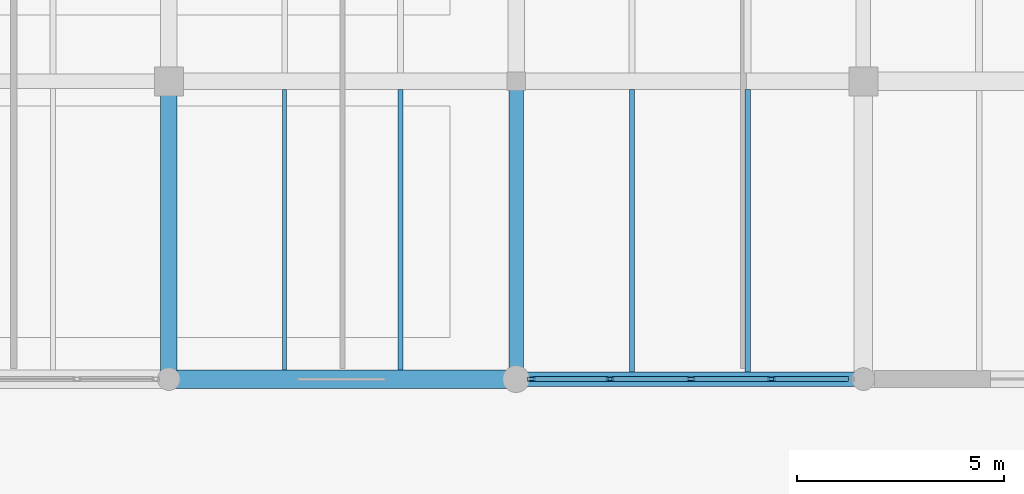
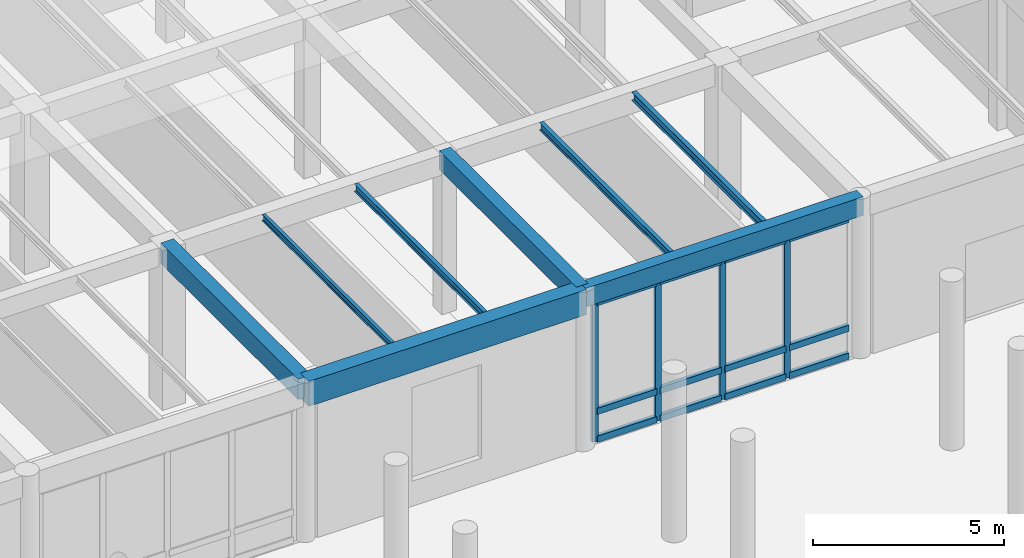
# One storey, part 41 of 169: 16 members, 8 beams, 1 element without a shape of its own.
"""IFC4 building model written with IfcOpenShell, lengths in metres."""

from ifc_helpers import new_model, si_unit, direction, frame, origin, origin_2d, place, context, subcontext, project, spatial, rectangle, hollow_rectangle, i_section, extrude, material, layer, layer_set, material_profile, profile_set, type_object, element, aggregate, save


model = new_model("IFC4")

# Units and contexts
model_context = context("Model", 3, precision=1e-05, world=origin(), true_north=direction((0.0, 1.0)))
body_context = subcontext(model_context, "Body", "Model", "MODEL_VIEW")
ifc_project = project(units=[si_unit("LENGTHUNIT", "METRE"), si_unit("AREAUNIT", "SQUARE_METRE"), si_unit("VOLUMEUNIT", "CUBIC_METRE"), si_unit("PLANEANGLEUNIT", "RADIAN"), si_unit("MASSUNIT", "GRAM", prefix="KILO")], contexts=[model_context])

# Site, building, storey
site_placement = place(None, origin())
site = spatial("IfcSite", under=ifc_project, at=site_placement, CompositionType="ELEMENT")
building_placement = place(site_placement, origin())
building = spatial("IfcBuilding", under=site, at=building_placement, Name="Mazaris Harbour Polytechnic", CompositionType="ELEMENT")
storey_placement = place(building_placement, origin())
storey = spatial("IfcBuildingStorey", under=building, at=storey_placement, Name="L00", CompositionType="ELEMENT", Elevation=0.0)

# Curtain wall, members
ifc_material_1 = material(Name="Anodised Bronze Aluminium and Low-E Glass", Category="aluminium")
ifc_layer = layer(ifc_material_1, 0.179931640625, Name="Anodised Bronze Aluminium and Low-E Glass")
ifc_layer_set = layer_set([ifc_layer], Name="Anodised Bronze Aluminium and Low-E Glass")
curtain_wall_type = type_object("IfcCurtainWallType", Name="Harbour Colonnade Curtain Wall", PredefinedType="NOTDEFINED", material=ifc_layer_set)
curtain_wall_placement = place(storey_placement, origin())
curtain_wall = element("IfcCurtainWall", 1, at=curtain_wall_placement, inside=storey, type_object=curtain_wall_type, Name="V3 L00 Curtain Wall 62", PredefinedType="NOTDEFINED")
ifc_material_2 = material(Name="Anodised Bronze Steel S355", Category="steel")
ifc_material_profile_1 = material_profile(ifc_material_2, hollow_rectangle(XDim=0.10009765625, YDim=0.179931640625, WallThickness=0.008056640625, at=origin_2d()), Name="RHS 100x180x8.0")
ifc_profile_set_1 = profile_set([ifc_material_profile_1], Name="Anodised Bronze Steel S355")
member_type_1 = type_object("IfcMemberType", Name="Curtain Mullion RHS100x180", PredefinedType="MULLION", material=ifc_profile_set_1)
member_1_placement = place(storey_placement, frame((93.779052734375, 7.199951171875, 0.0), z_axis=(0.0, 0.0, 1.0), x_axis=(0.0, -1.0, 0.0)))
member_1 = element("IfcMember", 2, at=member_1_placement, type_object=member_type_1, Name="CW-01 mullion 2", PredefinedType="MULLION", context=body_context, shape_type="SweptSolid", body=[
    extrude(hollow_rectangle(XDim=0.10009765625, YDim=0.179931640625, WallThickness=0.008056640625, at=origin_2d()), origin(), (0.0, 0.0, 1.0), 4.489990234375),
])
member_2_placement = place(storey_placement, frame((91.824951171875, 7.199951171875, 0.0), z_axis=(0.0, 0.0, 1.0), x_axis=(0.0, -1.0, 0.0)))
member_2 = element("IfcMember", 3, at=member_2_placement, type_object=member_type_1, Name="CW-01 mullion 3", PredefinedType="MULLION", context=body_context, shape_type="SweptSolid", body=[
    extrude(hollow_rectangle(XDim=0.10009765625, YDim=0.179931640625, WallThickness=0.008056640625, at=origin_2d()), origin(), (0.0, 0.0, 1.0), 4.489990234375),
])
member_3_placement = place(storey_placement, frame((89.87109375, 7.199951171875, 0.0), z_axis=(0.0, 0.0, 1.0), x_axis=(0.0, -1.0, 0.0)))
member_3 = element("IfcMember", 4, at=member_3_placement, type_object=member_type_1, Name="CW-01 mullion 4", PredefinedType="MULLION", context=body_context, shape_type="SweptSolid", body=[
    extrude(hollow_rectangle(XDim=0.10009765625, YDim=0.179931640625, WallThickness=0.008056640625, at=origin_2d()), origin(), (0.0, 0.0, 1.0), 4.489990234375),
])
member_4_placement = place(storey_placement, frame((87.967041015625, 7.199951171875, 0.0), z_axis=(0.0, 0.0, 1.0), x_axis=(0.0, -1.0, 0.0)))
member_4 = element("IfcMember", 5, at=member_4_placement, type_object=member_type_1, Name="CW-01 mullion 5", PredefinedType="MULLION", context=body_context, shape_type="SweptSolid", body=[
    extrude(hollow_rectangle(XDim=0.10009765625, YDim=0.179931640625, WallThickness=0.008056640625, at=origin_2d()), origin(), (0.0, 0.0, 1.0), 4.489990234375),
])
ifc_material_3 = material(Name="Anodised Bronze Steel S355", Category="steel")
ifc_material_profile_2 = material_profile(ifc_material_3, hollow_rectangle(XDim=0.1201171875, YDim=0.199951171875, WallThickness=0.008056640625, at=origin_2d()), Name="RHS 120x200x8.0")
ifc_profile_set_2 = profile_set([ifc_material_profile_2], Name="Anodised Bronze Steel S355")
member_type_2 = type_object("IfcMemberType", Name="Curtain Transom RHS120x200", PredefinedType="USERDEFINED", material=ifc_profile_set_2)
member_5_placement = place(storey_placement, frame((95.633056640625, 7.199951171875, 0.06005859375), z_axis=(-1.0, 0.0, 0.0), x_axis=(0.0, -1.0, 0.0)))
member_5 = element("IfcMember", 6, at=member_5_placement, type_object=member_type_2, Name="CW-01 transom 1.1", ObjectType="TRANSOM", PredefinedType="USERDEFINED", context=body_context, shape_type="SweptSolid", body=[
    extrude(hollow_rectangle(XDim=0.1201171875, YDim=0.199951171875, WallThickness=0.008056640625, at=origin_2d()), origin(), (0.0, 0.0, 1.0), 1.803955078125),
])
member_6_placement = place(storey_placement, frame((95.633056640625, 7.199951171875, 0.949951171875), z_axis=(-1.0, 0.0, 0.0), x_axis=(0.0, -1.0, 0.0)))
member_6 = element("IfcMember", 7, at=member_6_placement, type_object=member_type_2, Name="CW-01 transom 1.2", ObjectType="TRANSOM", PredefinedType="USERDEFINED", context=body_context, shape_type="SweptSolid", body=[
    extrude(hollow_rectangle(XDim=0.1201171875, YDim=0.199951171875, WallThickness=0.008056640625, at=origin_2d()), origin(), (0.0, 0.0, 1.0), 1.803955078125),
])
member_7_placement = place(storey_placement, frame((95.633056640625, 7.199951171875, 4.429931640625), z_axis=(-1.0, 0.0, 0.0), x_axis=(0.0, -1.0, 0.0)))
member_7 = element("IfcMember", 8, at=member_7_placement, type_object=member_type_2, Name="CW-01 transom 1.3", ObjectType="TRANSOM", PredefinedType="USERDEFINED", context=body_context, shape_type="SweptSolid", body=[
    extrude(hollow_rectangle(XDim=0.1201171875, YDim=0.199951171875, WallThickness=0.008056640625, at=origin_2d()), origin(), (0.0, 0.0, 1.0), 1.803955078125),
])
member_8_placement = place(storey_placement, frame((93.72900390625, 7.199951171875, 0.06005859375), z_axis=(-1.0, 0.0, 0.0), x_axis=(0.0, -1.0, 0.0)))
member_8 = element("IfcMember", 9, at=member_8_placement, type_object=member_type_2, Name="CW-01 transom 2.1", ObjectType="TRANSOM", PredefinedType="USERDEFINED", context=body_context, shape_type="SweptSolid", body=[
    extrude(hollow_rectangle(XDim=0.1201171875, YDim=0.199951171875, WallThickness=0.008056640625, at=origin_2d()), origin(), (0.0, 0.0, 1.0), 1.85400390625),
])
member_9_placement = place(storey_placement, frame((93.72900390625, 7.199951171875, 0.949951171875), z_axis=(-1.0, 0.0, 0.0), x_axis=(0.0, -1.0, 0.0)))
member_9 = element("IfcMember", 10, at=member_9_placement, type_object=member_type_2, Name="CW-01 transom 2.2", ObjectType="TRANSOM", PredefinedType="USERDEFINED", context=body_context, shape_type="SweptSolid", body=[
    extrude(hollow_rectangle(XDim=0.1201171875, YDim=0.199951171875, WallThickness=0.008056640625, at=origin_2d()), origin(), (0.0, 0.0, 1.0), 1.85400390625),
])
member_10_placement = place(storey_placement, frame((93.72900390625, 7.199951171875, 4.429931640625), z_axis=(-1.0, 0.0, 0.0), x_axis=(0.0, -1.0, 0.0)))
member_10 = element("IfcMember", 11, at=member_10_placement, type_object=member_type_2, Name="CW-01 transom 2.3", ObjectType="TRANSOM", PredefinedType="USERDEFINED", context=body_context, shape_type="SweptSolid", body=[
    extrude(hollow_rectangle(XDim=0.1201171875, YDim=0.199951171875, WallThickness=0.008056640625, at=origin_2d()), origin(), (0.0, 0.0, 1.0), 1.85400390625),
])
member_11_placement = place(storey_placement, frame((91.77490234375, 7.199951171875, 0.06005859375), z_axis=(-1.0, 0.0, 0.0), x_axis=(0.0, -1.0, 0.0)))
member_11 = element("IfcMember", 12, at=member_11_placement, type_object=member_type_2, Name="CW-01 transom 3.1", ObjectType="TRANSOM", PredefinedType="USERDEFINED", context=body_context, shape_type="SweptSolid", body=[
    extrude(hollow_rectangle(XDim=0.1201171875, YDim=0.199951171875, WallThickness=0.008056640625, at=origin_2d()), origin(), (0.0, 0.0, 1.0), 1.85400390625),
])
member_12_placement = place(storey_placement, frame((91.77490234375, 7.199951171875, 0.949951171875), z_axis=(-1.0, 0.0, 0.0), x_axis=(0.0, -1.0, 0.0)))
member_12 = element("IfcMember", 13, at=member_12_placement, type_object=member_type_2, Name="CW-01 transom 3.2", ObjectType="TRANSOM", PredefinedType="USERDEFINED", context=body_context, shape_type="SweptSolid", body=[
    extrude(hollow_rectangle(XDim=0.1201171875, YDim=0.199951171875, WallThickness=0.008056640625, at=origin_2d()), origin(), (0.0, 0.0, 1.0), 1.85400390625),
])
member_13_placement = place(storey_placement, frame((91.77490234375, 7.199951171875, 4.429931640625), z_axis=(-1.0, 0.0, 0.0), x_axis=(0.0, -1.0, 0.0)))
member_13 = element("IfcMember", 14, at=member_13_placement, type_object=member_type_2, Name="CW-01 transom 3.3", ObjectType="TRANSOM", PredefinedType="USERDEFINED", context=body_context, shape_type="SweptSolid", body=[
    extrude(hollow_rectangle(XDim=0.1201171875, YDim=0.199951171875, WallThickness=0.008056640625, at=origin_2d()), origin(), (0.0, 0.0, 1.0), 1.85400390625),
])
member_14_placement = place(storey_placement, frame((89.821044921875, 7.199951171875, 0.06005859375), z_axis=(-1.0, 0.0, 0.0), x_axis=(0.0, -1.0, 0.0)))
member_14 = element("IfcMember", 15, at=member_14_placement, type_object=member_type_2, Name="CW-01 transom 4.1", ObjectType="TRANSOM", PredefinedType="USERDEFINED", context=body_context, shape_type="SweptSolid", body=[
    extrude(hollow_rectangle(XDim=0.1201171875, YDim=0.199951171875, WallThickness=0.008056640625, at=origin_2d()), origin(), (0.0, 0.0, 1.0), 1.803955078125),
])
member_15_placement = place(storey_placement, frame((89.821044921875, 7.199951171875, 0.949951171875), z_axis=(-1.0, 0.0, 0.0), x_axis=(0.0, -1.0, 0.0)))
member_15 = element("IfcMember", 16, at=member_15_placement, type_object=member_type_2, Name="CW-01 transom 4.2", ObjectType="TRANSOM", PredefinedType="USERDEFINED", context=body_context, shape_type="SweptSolid", body=[
    extrude(hollow_rectangle(XDim=0.1201171875, YDim=0.199951171875, WallThickness=0.008056640625, at=origin_2d()), origin(), (0.0, 0.0, 1.0), 1.803955078125),
])
member_16_placement = place(storey_placement, frame((89.821044921875, 7.199951171875, 4.429931640625), z_axis=(-1.0, 0.0, 0.0), x_axis=(0.0, -1.0, 0.0)))
member_16 = element("IfcMember", 17, at=member_16_placement, type_object=member_type_2, Name="CW-01 transom 4.3", ObjectType="TRANSOM", PredefinedType="USERDEFINED", context=body_context, shape_type="SweptSolid", body=[
    extrude(hollow_rectangle(XDim=0.1201171875, YDim=0.199951171875, WallThickness=0.008056640625, at=origin_2d()), origin(), (0.0, 0.0, 1.0), 1.803955078125),
])
aggregate(curtain_wall, [member_1, member_2, member_3, member_4, member_5, member_6, member_7, member_8, member_9, member_10, member_11, member_12, member_13, member_14, member_15, member_16])

# Beams
ifc_material_4 = material(Name="Concrete C35/45", Category="concrete")
ifc_material_profile_3 = material_profile(ifc_material_4, rectangle(XDim=0.35009765625, YDim=0.60009765625, at=origin_2d()), Name="RECT350x600")
ifc_profile_set_3 = profile_set([ifc_material_profile_3], Name="Concrete C35/45")
beam_type_1 = type_object("IfcBeamType", Name="RC Girder 350x600", PredefinedType="BEAM", material=ifc_profile_set_3)
beam_1_placement = place(storey_placement, frame((87.60009765625, 7.199951171875, 4.800048828125), z_axis=(0.0, 1.0, 0.0), x_axis=(-1.0, 0.0, 0.0)))
element("IfcBeam", 18, at=beam_1_placement, inside=storey, type_object=beam_type_1, Name="V3 L00 Tie Girder 905", PredefinedType="BEAM", context=body_context, shape_type="SweptSolid", body=[
    extrude(rectangle(XDim=0.35009765625, YDim=0.60009765625, at=origin_2d()), origin(), (0.0, 0.0, 1.0), 7.199951171875),
])
ifc_material_5 = material(Name="Concrete C35/45", Category="concrete")
ifc_material_profile_4 = material_profile(ifc_material_5, rectangle(XDim=0.35009765625, YDim=0.60009765625, at=origin_2d()), Name="RECT350x600")
ifc_profile_set_4 = profile_set([ifc_material_profile_4], Name="Concrete C35/45")
beam_type_2 = type_object("IfcBeamType", Name="RC Girder 350x600 Exterior", PredefinedType="BEAM", material=ifc_profile_set_4)
beam_2_placement = place(storey_placement, frame((87.60009765625, 7.199951171875, 4.800048828125), z_axis=(1.0, 0.0, 0.0), x_axis=(0.0, 1.0, 0.0)))
element("IfcBeam", 19, at=beam_2_placement, inside=storey, type_object=beam_type_2, Name="V3 L00 Girder 860", PredefinedType="BEAM", context=body_context, shape_type="SweptSolid", body=[
    extrude(rectangle(XDim=0.35009765625, YDim=0.60009765625, at=origin_2d()), origin(), (0.0, 0.0, 1.0), 8.39990234375),
])
ifc_material_6 = material(Name="Concrete C35/45", Category="concrete")
ifc_material_profile_5 = material_profile(ifc_material_6, rectangle(XDim=0.39990234375, YDim=0.64990234375, at=origin_2d()), Name="RECT400x650")
ifc_profile_set_5 = profile_set([ifc_material_profile_5], Name="Concrete C35/45")
beam_type_3 = type_object("IfcBeamType", Name="RC Girder 400x650", PredefinedType="BEAM", material=ifc_profile_set_5)
beam_3_placement = place(storey_placement, frame((79.199951171875, 7.199951171875, 4.77490234375), z_axis=(0.0, 1.0, 0.0), x_axis=(-1.0, 0.0, 0.0)))
element("IfcBeam", 20, at=beam_3_placement, inside=storey, type_object=beam_type_3, Name="V3 L00 Tie Girder 901", PredefinedType="BEAM", context=body_context, shape_type="SweptSolid", body=[
    extrude(rectangle(XDim=0.39990234375, YDim=0.64990234375, at=origin_2d()), origin(), (0.0, 0.0, 1.0), 7.199951171875),
])
ifc_material_7 = material(Name="Concrete C40/50", Category="concrete")
ifc_material_profile_6 = material_profile(ifc_material_7, rectangle(XDim=0.449951171875, YDim=0.800048828125, at=origin_2d()), Name="RECT450x800")
ifc_profile_set_6 = profile_set([ifc_material_profile_6], Name="Concrete C40/50")
beam_type_4 = type_object("IfcBeamType", Name="RC Girder 450x800 Exterior", PredefinedType="BEAM", material=ifc_profile_set_6)
beam_4_placement = place(storey_placement, frame((79.199951171875, 7.199951171875, 4.699951171875), z_axis=(1.0, 0.0, 0.0), x_axis=(0.0, 1.0, 0.0)))
element("IfcBeam", 21, at=beam_4_placement, inside=storey, type_object=beam_type_4, Name="V3 L00 Girder 859", PredefinedType="BEAM", context=body_context, shape_type="SweptSolid", body=[
    extrude(rectangle(XDim=0.449951171875, YDim=0.800048828125, at=origin_2d()), origin(), (0.0, 0.0, 1.0), 8.400146484375),
])
ifc_material_8 = material(Name="Steel S355", Category="steel")
ifc_material_profile_7 = material_profile(ifc_material_8, i_section(OverallWidth=0.10009765625, OverallDepth=0.199951171875, WebThickness=0.005615234375, FlangeThickness=0.008544921875, FilletRadius=0.011962890625, at=origin_2d()), Name="IPE 200")
ifc_profile_set_7 = profile_set([ifc_material_profile_7], Name="Steel S355")
beam_type_5 = type_object("IfcBeamType", Name="Steel Joist IPE200", PredefinedType="JOIST", material=ifc_profile_set_7)
beam_5_placement = place(storey_placement, frame((82.0, 7.425048828125, 5.0), z_axis=(0.0, 1.0, 0.0), x_axis=(-1.0, 0.0, 0.0)))
element("IfcBeam", 22, at=beam_5_placement, inside=storey, type_object=beam_type_5, Name="V3 L00 Floor Joist 938", PredefinedType="JOIST", context=body_context, shape_type="SweptSolid", body=[
    extrude(i_section(OverallWidth=0.10009765625, OverallDepth=0.199951171875, WebThickness=0.005615234375, FlangeThickness=0.008544921875, FilletRadius=0.011962890625, at=origin_2d()), origin(), (0.0, 0.0, 1.0), 6.77490234375),
])
ifc_material_9 = material(Name="Steel S355", Category="steel")
ifc_material_profile_8 = material_profile(ifc_material_9, i_section(OverallWidth=0.1201171875, OverallDepth=0.239990234375, WebThickness=0.006103515625, FlangeThickness=0.009765625, FilletRadius=0.014892578125, at=origin_2d()), Name="IPE 240")
ifc_profile_set_8 = profile_set([ifc_material_profile_8], Name="Steel S355")
beam_type_6 = type_object("IfcBeamType", Name="Steel Joist IPE240", PredefinedType="JOIST", material=ifc_profile_set_8)
beam_6_placement = place(storey_placement, frame((84.800048828125, 7.425048828125, 4.97998046875), z_axis=(0.0, 1.0, 0.0), x_axis=(-1.0, 0.0, 0.0)))
element("IfcBeam", 23, at=beam_6_placement, inside=storey, type_object=beam_type_6, Name="V3 L00 Floor Joist 939", PredefinedType="JOIST", context=body_context, shape_type="SweptSolid", body=[
    extrude(i_section(OverallWidth=0.1201171875, OverallDepth=0.239990234375, WebThickness=0.006103515625, FlangeThickness=0.009765625, FilletRadius=0.014892578125, at=origin_2d()), origin(), (0.0, 0.0, 1.0), 6.77490234375),
])
beam_7_placement = place(storey_placement, frame((90.39990234375, 7.375, 4.97998046875), z_axis=(0.0, 1.0, 0.0), x_axis=(-1.0, 0.0, 0.0)))
element("IfcBeam", 24, at=beam_7_placement, inside=storey, type_object=beam_type_6, Name="V3 L00 Floor Joist 946", PredefinedType="JOIST", context=body_context, shape_type="SweptSolid", body=[
    extrude(i_section(OverallWidth=0.1201171875, OverallDepth=0.239990234375, WebThickness=0.006103515625, FlangeThickness=0.009765625, FilletRadius=0.014892578125, at=origin_2d()), origin(), (0.0, 0.0, 1.0), 6.824951171875),
])
ifc_material_10 = material(Name="Steel S355", Category="steel")
ifc_material_profile_9 = material_profile(ifc_material_10, i_section(OverallWidth=0.135009765625, OverallDepth=0.27001953125, WebThickness=0.006591796875, FlangeThickness=0.01025390625, FilletRadius=0.014892578125, at=origin_2d()), Name="IPE 270")
ifc_profile_set_9 = profile_set([ifc_material_profile_9], Name="Steel S355")
beam_type_7 = type_object("IfcBeamType", Name="Steel Joist IPE270", PredefinedType="JOIST", material=ifc_profile_set_9)
beam_8_placement = place(storey_placement, frame((93.199951171875, 7.375, 4.965087890625), z_axis=(0.0, 1.0, 0.0), x_axis=(-1.0, 0.0, 0.0)))
element("IfcBeam", 25, at=beam_8_placement, inside=storey, type_object=beam_type_7, Name="V3 L00 Floor Joist 947", PredefinedType="JOIST", context=body_context, shape_type="SweptSolid", body=[
    extrude(i_section(OverallWidth=0.135009765625, OverallDepth=0.27001953125, WebThickness=0.006591796875, FlangeThickness=0.01025390625, FilletRadius=0.014892578125, at=origin_2d()), origin(), (0.0, 0.0, 1.0), 6.824951171875),
])

save(model, "model.ifc")
